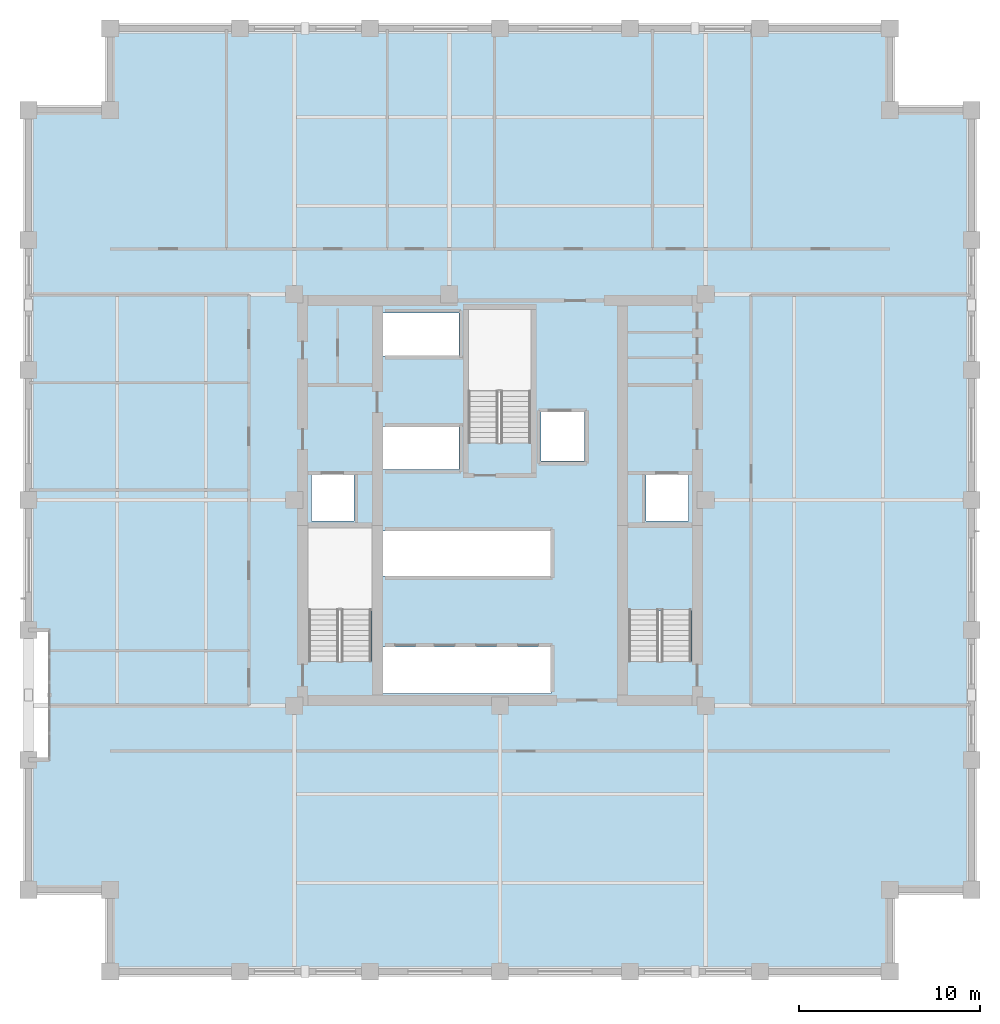
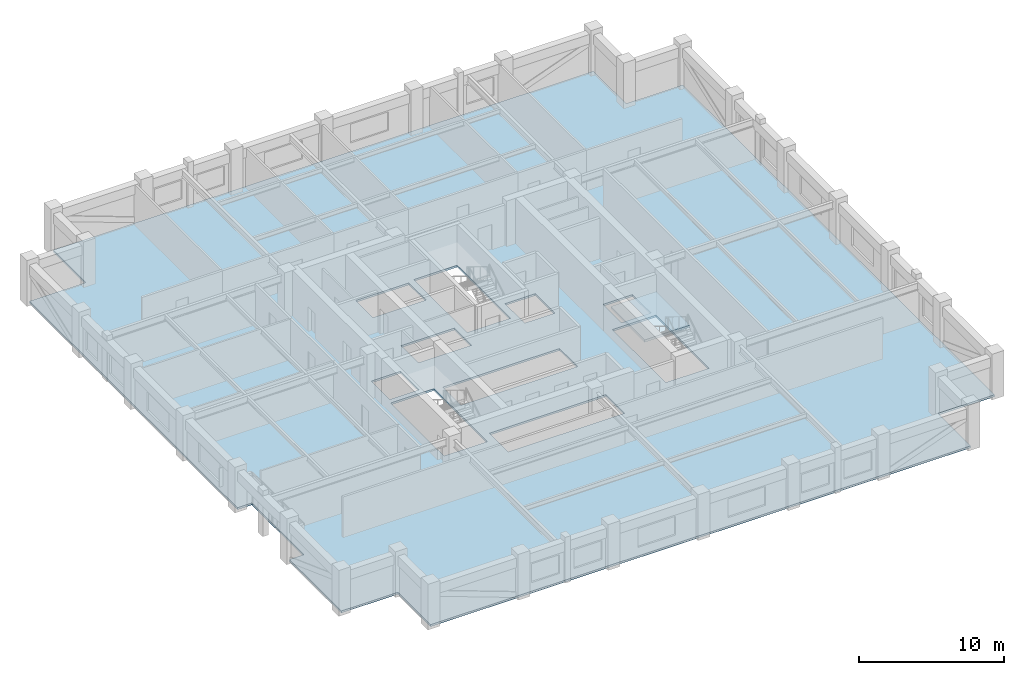
# One storey, part 7 of 14: 2 slabs, 1 element without a shape of its own.
"""IFC4 building model written with IfcOpenShell, lengths in metres."""

from ifc_helpers import new_model, si_unit, direction, frame, origin, place, context, subcontext, project, spatial, polyline, outline, extrude, material, layer, layer_set, type_object, element, aggregate, save


model = new_model("IFC4")

# Units and contexts
model_context = context("Model", 3, precision=1e-05, world=origin(), true_north=direction((0.0, 1.0)))
body_context = subcontext(model_context, "Body", "Model", "MODEL_VIEW")
ifc_project = project(units=[si_unit("LENGTHUNIT", "METRE"), si_unit("AREAUNIT", "SQUARE_METRE"), si_unit("VOLUMEUNIT", "CUBIC_METRE"), si_unit("PLANEANGLEUNIT", "RADIAN"), si_unit("MASSUNIT", "GRAM", prefix="KILO")], contexts=[model_context])

# Site, building, storey
site_placement = place(None, origin())
site = spatial("IfcSite", under=ifc_project, at=site_placement, CompositionType="ELEMENT")
building_placement = place(site_placement, origin())
building = spatial("IfcBuilding", under=site, at=building_placement, Name="Nhamokura Convention Tower", CompositionType="ELEMENT")
storey_placement = place(building_placement, frame((0.0, 0.0, 172.199951171875)))
storey = spatial("IfcBuildingStorey", under=building, at=storey_placement, Name="L42", CompositionType="ELEMENT", Elevation=172.199951171875)

# Slab
ifc_material_1 = material(Name="Concrete C40/50", Category="concrete")
ifc_layer_1 = layer(ifc_material_1, 0.1650390625)
ifc_layer_set_1 = layer_set([ifc_layer_1], Name="OfficeFloorSlab_165")
slab_type_1 = type_object("IfcSlabType", Name="OfficeFloorSlab_165", PredefinedType="FLOOR", material=ifc_layer_set_1)
slab_1_placement = place(storey_placement, frame((0.0, 0.0, -0.1650390625)))
element("IfcSlab", 1, at=slab_1_placement, inside=storey, type_object=slab_type_1, Name="L42 Structural Floor Slab", PredefinedType="FLOOR", context=body_context, shape_type="SweptSolid", body=[
    extrude(outline(polyline([(10.5, 6.0), (53.5, 6.0), (53.5, 10.5), (58.0, 10.5), (58.0, 53.5), (53.5, 53.5), (53.5, 58.0), (10.5, 58.0), (10.5, 53.5), (6.0, 53.5), (6.0, 24.833251953125), (7.14990234375, 24.833251953125), (7.14990234375, 17.666748046875), (6.0, 17.666748046875), (6.0, 10.5), (10.5, 10.5), (10.5, 6.0)]), holes=[polyline([(24.89990234375, 23.10009765625), (24.89990234375, 30.449951171875), (21.449951171875, 30.449951171875), (21.449951171875, 23.10009765625), (24.89990234375, 23.10009765625)]), polyline([(42.550048828125, 23.10009765625), (42.550048828125, 30.449951171875), (39.10009765625, 30.449951171875), (39.10009765625, 23.10009765625), (42.550048828125, 23.10009765625)]), polyline([(33.699951171875, 35.14990234375), (33.699951171875, 42.5), (30.25, 42.5), (30.25, 35.14990234375), (33.699951171875, 35.14990234375)]), polyline([(21.60009765625, 30.85009765625), (23.949951171875, 30.85009765625), (23.949951171875, 33.39990234375), (21.60009765625, 33.39990234375), (21.60009765625, 30.85009765625)]), polyline([(40.050048828125, 30.85009765625), (42.39990234375, 30.85009765625), (42.39990234375, 33.39990234375), (40.050048828125, 33.39990234375), (40.050048828125, 30.85009765625)]), polyline([(34.25, 34.14990234375), (36.64990234375, 34.14990234375), (36.64990234375, 36.85009765625), (34.25, 36.85009765625), (34.25, 34.14990234375)]), polyline([(25.52001953125, 21.320068359375), (34.800048828125, 21.320068359375), (34.800048828125, 23.89990234375), (25.52001953125, 23.89990234375), (25.52001953125, 21.320068359375)]), polyline([(25.52001953125, 27.800048828125), (34.800048828125, 27.800048828125), (34.800048828125, 30.300048828125), (25.52001953125, 30.300048828125), (25.52001953125, 27.800048828125)]), polyline([(25.52001953125, 33.679931640625), (29.75, 33.679931640625), (29.75, 36.050048828125), (25.52001953125, 36.050048828125), (25.52001953125, 33.679931640625)]), polyline([(25.52001953125, 39.949951171875), (29.75, 39.949951171875), (29.75, 42.320068359375), (25.52001953125, 42.320068359375), (25.52001953125, 39.949951171875)])]), origin(), (0.0, 0.0, 1.0), 0.1650390625),
])

# Stair, slab
ifc_material_2 = material(Name="Concrete C40/50", Category="concrete")
stair_type = type_object("IfcStairType", Name="TowerCoreStair_1650", PredefinedType="HALF_TURN_STAIR", material=ifc_material_2)
stair_placement = place(storey_placement, origin())
stair = element("IfcStair", 2, at=stair_placement, inside=storey, type_object=stair_type, Name="L42 East Core Smokeproof Stair ST-02", PredefinedType="HALF_TURN_STAIR")
ifc_material_3 = material(Name="Concrete C40/50", Category="concrete")
ifc_layer_2 = layer(ifc_material_3, 0.199951171875)
ifc_layer_set_2 = layer_set([ifc_layer_2], Name="StairLandingSlab_200")
slab_type_2 = type_object("IfcSlabType", Name="StairLandingSlab_200", PredefinedType="LANDING", material=ifc_layer_set_2)
slab_2_placement = place(storey_placement, frame((0.0, 0.0, 1.72509765625)))
slab_2 = element("IfcSlab", 3, at=slab_2_placement, type_object=slab_type_2, Name="ST-02 landing 1", PredefinedType="LANDING", context=body_context, shape_type="SweptSolid", body=[
    extrude(outline(polyline([(42.6298828125, 25.8701171875), (42.6298828125, 30.530029296875), (39.02001953125, 30.530029296875), (39.02001953125, 25.8701171875), (42.6298828125, 25.8701171875)])), origin(), (0.0, 0.0, 1.0), 0.199951171875),
])
aggregate(stair, [slab_2])

save(model, "model.ifc")
